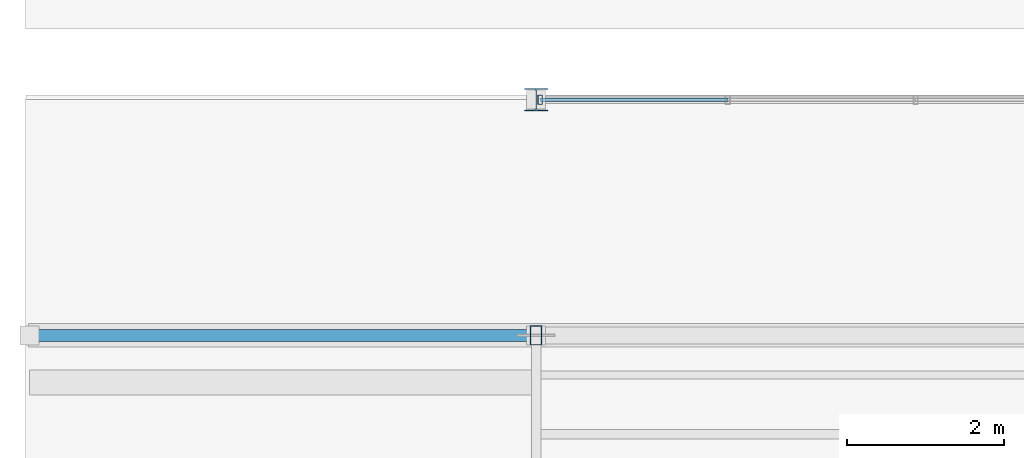
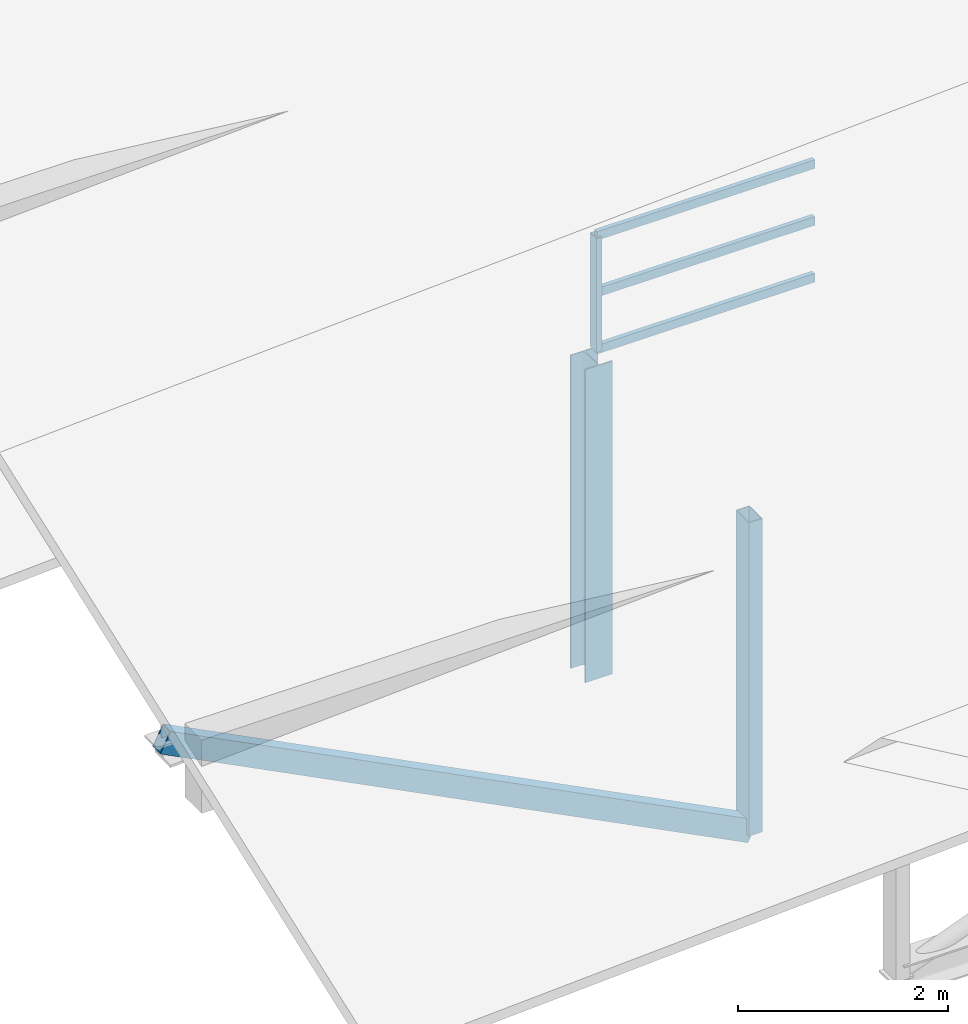
# One storey, part 28 of 141: 7 members, 1 element without a shape of its own.
"""IFC4 building model written with IfcOpenShell, lengths in metres."""

from ifc_helpers import new_model, si_unit, direction, frame, origin, origin_2d, place, context, subcontext, project, spatial, hollow_rectangle, i_section, extrude, material, material_profile, profile_set, type_object, element, aggregate, save


model = new_model("IFC4")

# Units and contexts
model_context = context("Model", 3, precision=1e-05, world=origin(), true_north=direction((0.0, 1.0)))
body_context = subcontext(model_context, "Body", "Model", "MODEL_VIEW")
ifc_project = project(units=[si_unit("LENGTHUNIT", "METRE"), si_unit("AREAUNIT", "SQUARE_METRE"), si_unit("VOLUMEUNIT", "CUBIC_METRE"), si_unit("PLANEANGLEUNIT", "RADIAN"), si_unit("MASSUNIT", "GRAM", prefix="KILO")], contexts=[model_context])

# Site, building, storey
site_placement = place(None, origin())
site = spatial("IfcSite", under=ifc_project, at=site_placement, CompositionType="ELEMENT")
building_placement = place(site_placement, origin())
building = spatial("IfcBuilding", under=site, at=building_placement, Name="Sundkrona Museum", CompositionType="ELEMENT")
storey_placement = place(building_placement, frame((0.0, 0.0, 34.0)))
storey = spatial("IfcBuildingStorey", under=building, at=storey_placement, Name="RF", CompositionType="ELEMENT", Elevation=34.0)

# Member
ifc_material_1 = material(Name="Steel S355J2", Category="steel")
ifc_material_profile_1 = material_profile(ifc_material_1, i_section(OverallWidth=0.300048828125, OverallDepth=0.2900390625, WebThickness=0.008544921875, FlangeThickness=0.013916015625, FilletRadius=0.027099609375, at=origin_2d()), Name="HEA 300")
ifc_profile_set_1 = profile_set([ifc_material_profile_1], Name="Steel S355J2")
member_type_1 = type_object("IfcMemberType", Name="BR-HEA300", PredefinedType="BRACE", material=ifc_profile_set_1)
member_1_placement = place(storey_placement, frame((120.0, 26.5, -0.25), z_axis=(0.0, 0.0, 1.0), x_axis=(1.0, 0.0, 0.0)))
element("IfcMember", 1, at=member_1_placement, inside=storey, type_object=member_type_1, Name="RFS-1 Sawtooth Bay 4 Clerestory Corner Post W", PredefinedType="BRACE", context=body_context, shape_type="SweptSolid", body=[
    extrude(i_section(OverallWidth=0.300048828125, OverallDepth=0.2900390625, WebThickness=0.008544921875, FlangeThickness=0.013916015625, FilletRadius=0.027099609375, at=origin_2d()), origin(), (0.0, 0.0, 1.0), 3.633056640625),
])

# Curtain wall, member
ifc_material_2 = material(Name="Unitised Aluminium-Steel and Ceramic-Clad Curtain Walling", Category="steel")
curtain_wall_type = type_object("IfcCurtainWallType", Name="CW-SW-240x13", PredefinedType="NOTDEFINED", material=ifc_material_2)
curtain_wall_placement = place(storey_placement, origin())
curtain_wall = element("IfcCurtainWall", 2, at=curtain_wall_placement, inside=storey, type_object=curtain_wall_type, Name="Sawtooth Bay 4 West North-Light Clerestory", PredefinedType="NOTDEFINED")
ifc_material_3 = material(Name="Aluminium EN AW-6060 T66", Category="aluminium")
ifc_material_profile_2 = material_profile(ifc_material_3, hollow_rectangle(XDim=0.06005859375, YDim=0.1201171875, WallThickness=0.0048828125, at=origin_2d()), Name="RHS 120x60x5.0")
ifc_profile_set_2 = profile_set([ifc_material_profile_2], Name="Aluminium EN AW-6060 T66")
member_type_2 = type_object("IfcMemberType", Name="ML-120", PredefinedType="MULLION", material=ifc_profile_set_2)
member_2_placement = place(storey_placement, frame((120.050048828125, 26.5, 3.472900390625), z_axis=(0.0, 0.0, 1.0), x_axis=(1.0, 0.0, 0.0)))
member_2 = element("IfcMember", 3, at=member_2_placement, type_object=member_type_2, Name="CW-RF-SAW-04W Mullion 01", PredefinedType="MULLION", context=body_context, shape_type="SweptSolid", body=[
    extrude(hollow_rectangle(XDim=0.06005859375, YDim=0.1201171875, WallThickness=0.0048828125, at=origin_2d()), origin(), (0.0, 0.0, 1.0), 1.320068359375),
])

# Members
ifc_material_profile_3 = material_profile(ifc_material_1, hollow_rectangle(XDim=0.14990234375, YDim=0.25, WallThickness=0.010009765625, at=origin_2d()), Name="RHS 250x150x10.0")
ifc_profile_set_3 = profile_set([ifc_material_profile_3], Name="Steel S355J2")
member_type_3 = type_object("IfcMemberType", Name="ST-RHS250", PredefinedType="STRUT", material=ifc_profile_set_3)
member_3_placement = place(storey_placement, frame((120.0, 23.5, -0.25), z_axis=(-0.890885812321, 0.0, 0.454227332297), x_axis=(0.0, -1.0, 0.0)))
element("IfcMember", 4, at=member_3_placement, inside=storey, type_object=member_type_3, Name="RFS-1 Sawtooth Truss 4 West Knee Strut", PredefinedType="STRUT", context=body_context, shape_type="SweptSolid", body=[
    extrude(hollow_rectangle(XDim=0.14990234375, YDim=0.25, WallThickness=0.010009765625, at=origin_2d()), origin(), (0.0, 0.0, 1.0), 7.239990234375),
])
member_4_placement = place(storey_placement, frame((120.0, 23.5, -0.25), z_axis=(0.0, 0.0, 1.0), x_axis=(1.0, 0.0, 0.0)))
element("IfcMember", 5, at=member_4_placement, inside=storey, type_object=member_type_3, Name="RFS-1 Sawtooth Truss 4 Vertical Post 1", PredefinedType="STRUT", context=body_context, shape_type="SweptSolid", body=[
    extrude(hollow_rectangle(XDim=0.14990234375, YDim=0.25, WallThickness=0.010009765625, at=origin_2d()), origin(), (0.0, 0.0, 1.0), 3.637451171875),
])

# Member
ifc_material_profile_4 = material_profile(ifc_material_3, hollow_rectangle(XDim=0.050048828125, YDim=0.10009765625, WallThickness=0.0048828125, at=origin_2d()), Name="RHS 100x50x5.0")
ifc_profile_set_4 = profile_set([ifc_material_profile_4], Name="Aluminium EN AW-6060 T66")
member_type_4 = type_object("IfcMemberType", Name="TR-100", PredefinedType="USERDEFINED", material=ifc_profile_set_4)
member_5_placement = place(storey_placement, frame((120.050048828125, 26.5, 3.472900390625), z_axis=(1.0, 0.0, 0.0), x_axis=(0.0, 1.0, 0.0)))
member_5 = element("IfcMember", 6, at=member_5_placement, type_object=member_type_4, Name="CW-RF-SAW-04W Transom 01", ObjectType="TRANSOM", PredefinedType="USERDEFINED", context=body_context, shape_type="SweptSolid", body=[
    extrude(hollow_rectangle(XDim=0.050048828125, YDim=0.10009765625, WallThickness=0.0048828125, at=origin_2d()), origin(), (0.0, 0.0, 1.0), 2.389892578125),
])

member_6_placement = place(storey_placement, frame((120.050048828125, 26.5, 4.133056640625), z_axis=(1.0, 0.0, 0.0), x_axis=(0.0, 1.0, 0.0)))
member_6 = element("IfcMember", 7, at=member_6_placement, type_object=member_type_4, Name="CW-RF-SAW-04W Transom 02", ObjectType="TRANSOM", PredefinedType="USERDEFINED", context=body_context, shape_type="SweptSolid", body=[
    extrude(hollow_rectangle(XDim=0.050048828125, YDim=0.10009765625, WallThickness=0.0048828125, at=origin_2d()), origin(), (0.0, 0.0, 1.0), 2.389892578125),
])

member_7_placement = place(storey_placement, frame((120.050048828125, 26.5, 4.79296875), z_axis=(1.0, 0.0, 0.0), x_axis=(0.0, 1.0, 0.0)))
member_7 = element("IfcMember", 8, at=member_7_placement, type_object=member_type_4, Name="CW-RF-SAW-04W Transom 03", ObjectType="TRANSOM", PredefinedType="USERDEFINED", context=body_context, shape_type="SweptSolid", body=[
    extrude(hollow_rectangle(XDim=0.050048828125, YDim=0.10009765625, WallThickness=0.0048828125, at=origin_2d()), origin(), (0.0, 0.0, 1.0), 2.389892578125),
])

aggregate(curtain_wall, [member_2, member_5, member_6, member_7])

save(model, "model.ifc")
